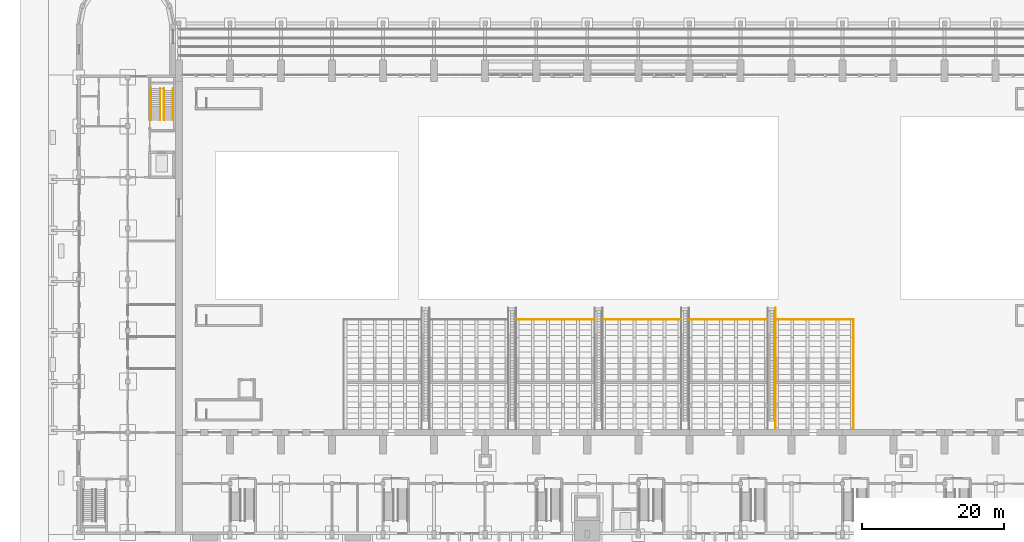
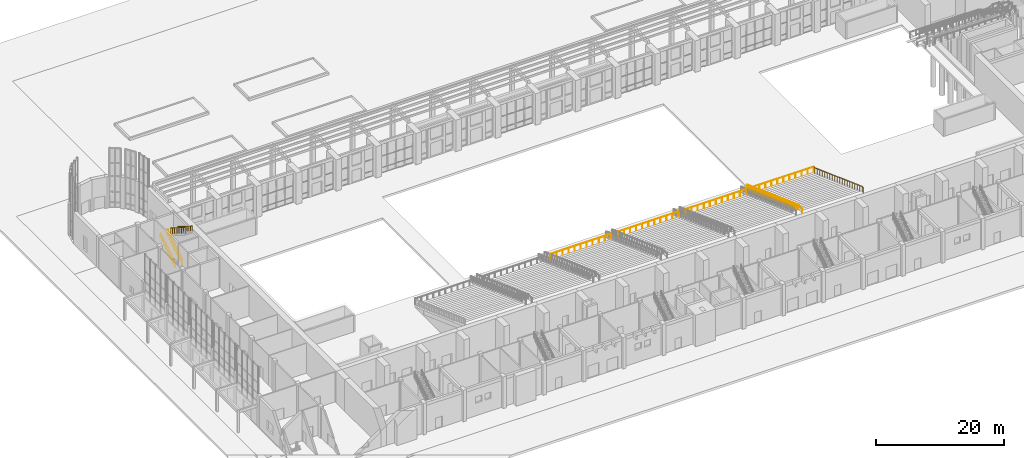
# One storey, part 64 of 70: 10 railings.
"""IFC4 building model written with IfcOpenShell, lengths in metres."""

import ifcopenshell
import ifcopenshell.guid

model = None  # the IFC model being written
_history = None  # IfcOwnerHistory: only IFC2X3 demands one
_inside = {}  # id of a spatial element -> (the spatial element, [elements in it])
_under = {}  # id of a project, library or spatial element -> (it, [spatial elements below it])
_declared = {}  # id of a project -> (the project, [libraries it declares])
_typed = {}  # id of a type object -> (the type object, [elements of that type])
_made_of = {}  # id of a material, layer set ... -> (it, [elements and type objects made of it])


def new_model(schema):
    """Start an empty IFC model of exactly this schema.

    Asked for "IFC4X3", IfcOpenShell would pick the latest addendum, in which some entities
    have other attributes; the version numbers below select the first issue.
    IFC2X3 requires an IfcOwnerHistory on every rooted entity: one is made here for all.
    """
    global model, _history
    if schema == "IFC4X3":
        model = ifcopenshell.file(schema_version=(4, 3, 0, 0))
    else:
        model = ifcopenshell.file(schema=schema)
    _inside.clear()
    _under.clear()
    _declared.clear()
    _typed.clear()
    _made_of.clear()
    _history = None
    if model.schema == "IFC2X3":
        org = make("IfcOrganization", Name="unknown")
        user = make(
            "IfcPersonAndOrganization",
            ThePerson=make("IfcPerson", FamilyName="unknown"),
            TheOrganization=org,
        )
        app = make(
            "IfcApplication",
            ApplicationDeveloper=org,
            Version="unknown",
            ApplicationFullName="unknown",
            ApplicationIdentifier="unknown",
        )
        _history = make(
            "IfcOwnerHistory",
            OwningUser=user,
            OwningApplication=app,
            ChangeAction="ADDED",
            CreationDate=0,
        )
    return model


def make(cls, **values):
    """One entity of the class cls with the attributes given. An attribute that is None is left unset."""
    return model.create_entity(
        cls, **{name: value for name, value in values.items() if value is not None}
    )


def rooted(cls, **values):
    """An entity with a GlobalId (a new one), such as an element, a storey or a relation."""
    return make(cls, GlobalId=ifcopenshell.guid.new(), OwnerHistory=_history, **values)


def si_unit(unit_type, name, prefix=None):
    """IfcSIUnit, for example si_unit("LENGTHUNIT", "METRE", prefix="MILLI")."""
    return make("IfcSIUnit", UnitType=unit_type, Prefix=prefix, Name=name)


def assignment(units):
    """IfcUnitAssignment: the units of a project."""
    return None if units is None else make("IfcUnitAssignment", Units=units)


def point(xyz):
    """IfcCartesianPoint."""
    return None if xyz is None else make("IfcCartesianPoint", Coordinates=xyz)


def direction(xyz):
    """IfcDirection."""
    return None if xyz is None else make("IfcDirection", DirectionRatios=xyz)


def frame(location, z_axis=None, x_axis=None):
    """IfcAxis2Placement3D, a coordinate frame: its origin and axes. An axis left out is left unset."""
    return make(
        "IfcAxis2Placement3D",
        Location=point(location),
        Axis=direction(z_axis),
        RefDirection=direction(x_axis),
    )


def frame_2d(location, x_axis=None):
    """IfcAxis2Placement2D, a coordinate frame in the plane: its origin and x axis."""
    return make(
        "IfcAxis2Placement2D", Location=point(location), RefDirection=direction(x_axis)
    )


def origin():
    """The frame at (0, 0, 0) with its axes left unset."""
    return frame((0.0, 0.0, 0.0))


def origin_2d():
    """The frame at (0, 0) in the plane with its x axis left unset."""
    return frame_2d((0.0, 0.0))


def place(relative_to, where):
    """IfcLocalPlacement: puts the frame where relative to a parent placement (None: the world)."""
    return make(
        "IfcLocalPlacement", PlacementRelTo=relative_to, RelativePlacement=where
    )


def context(
    kind, dimensions, precision=None, world=None, true_north=None, identifier=None
):
    """IfcGeometricRepresentationContext, for example the 3D "Model" context."""
    return make(
        "IfcGeometricRepresentationContext",
        ContextIdentifier=identifier,
        ContextType=kind,
        CoordinateSpaceDimension=dimensions,
        Precision=precision,
        WorldCoordinateSystem=world,
        TrueNorth=true_north,
    )


def subcontext(parent, identifier, kind, view, scale=None):
    """IfcGeometricRepresentationSubContext, for example "Body" below "Model"."""
    return make(
        "IfcGeometricRepresentationSubContext",
        ContextIdentifier=identifier,
        ContextType=kind,
        ParentContext=parent,
        TargetScale=scale,
        TargetView=view,
    )


def project(units=None, contexts=None):
    """IfcProject with its units and contexts."""
    return rooted(
        "IfcProject",
        Name="project",
        RepresentationContexts=contexts,
        UnitsInContext=assignment(units),
    )


def spatial(cls, under=None, at=None, **own):
    """A site, building, storey or space (cls), placed at a placement, below another one or the project."""
    s = rooted(cls, ObjectPlacement=at, **own)
    if under is not None:
        _under.setdefault(under.id(), (under, []))[1].append(s)
    return s


def profile(cls, at=None, kind="AREA", **sizes):
    """A parametric profile (cls). Its sizes go by their IFC names, for example OverallWidth=200.0."""
    return make(cls, ProfileType=kind, Position=at, **sizes)


def circle(**sizes):
    """IfcCircleProfileDef."""
    return profile("IfcCircleProfileDef", **sizes)


def extrude(swept, where, along, depth):
    """IfcExtrudedAreaSolid: the profile swept, set in the frame where, extruded along a direction by depth."""
    return make(
        "IfcExtrudedAreaSolid",
        SweptArea=swept,
        Position=where,
        ExtrudedDirection=direction(along),
        Depth=depth,
    )


def shape(context_of_items, identifier, shape_type, items):
    """IfcShapeRepresentation: the items that make up one representation, for example the "Body"."""
    return make(
        "IfcShapeRepresentation",
        ContextOfItems=context_of_items,
        RepresentationIdentifier=identifier,
        RepresentationType=shape_type,
        Items=items,
    )


def material(Name=None, Category=None):
    """IfcMaterial."""
    return make("IfcMaterial", Name=Name, Category=Category)


def made_of(thing, what):
    """Note that an element or type object is made of a material, layer set ...; save() writes the relation."""
    if what is not None:
        _made_of.setdefault(what.id(), (what, []))[1].append(thing)
    return thing


def type_object(cls, material=None, **own):
    """A type object (cls), such as IfcWallType, which elements share."""
    return made_of(rooted(cls, **own), material)


def element(
    cls,
    number,
    at=None,
    inside=None,
    cuts=None,
    type_object=None,
    material=None,
    context=None,
    identifier="Body",
    shape_type=None,
    held_by="IfcProductDefinitionShape",
    body=None,
    shapes=None,
    **own,
):
    """One element of the class cls, such as IfcWall. Its Tag is "e" and its number.

    at: its placement. inside: the storey or other place that contains it. cuts: it is an
    opening in that element (IfcRelVoidsElement). A single representation is given by context,
    identifier, shape_type and body (its items); several are given by shapes. held_by: the class
    of the entity that holds the representations. save() writes the other relations.
    """
    e = rooted(cls, Tag="e%d" % number, ObjectPlacement=at, **own)
    if body is not None:
        shapes = [shape(context, identifier, shape_type, body)]
    if shapes is not None:
        e.Representation = make(held_by, Representations=shapes)
    if inside is not None:
        _inside.setdefault(inside.id(), (inside, []))[1].append(e)
    if cuts is not None:
        rooted(
            "IfcRelVoidsElement", RelatingBuildingElement=cuts, RelatedOpeningElement=e
        )
    if type_object is not None:
        _typed.setdefault(type_object.id(), (type_object, []))[1].append(e)
    return made_of(e, material)


def aggregate(whole, parts):
    """IfcRelAggregates: a whole, such as a stair, and the parts it consists of."""
    return rooted("IfcRelAggregates", RelatingObject=whole, RelatedObjects=parts)


def save(model, path):
    """Write the relations noted so far, then the file.

    IfcRelAggregates (storeys below a building ...), IfcRelContainedInSpatialStructure (elements
    in a storey), IfcRelDefinesByType, IfcRelAssociatesMaterial and IfcRelDeclares: one each for
    every whole, place, type object, material and project.
    """
    for whole, parts in _under.values():
        aggregate(whole, parts)
    for where, things in _inside.values():
        rooted(
            "IfcRelContainedInSpatialStructure",
            RelatedElements=things,
            RelatingStructure=where,
        )
    for kind, things in _typed.values():
        rooted("IfcRelDefinesByType", RelatedObjects=things, RelatingType=kind)
    for what, things in _made_of.values():
        rooted("IfcRelAssociatesMaterial", RelatedObjects=things, RelatingMaterial=what)
    for by, libraries in _declared.values():
        rooted("IfcRelDeclares", RelatingContext=by, RelatedDefinitions=libraries)
    model.write(path)


model = new_model("IFC4")

# Units and contexts
model_context = context("Model", 3, precision=1e-05, world=origin(), true_north=direction((0.0, 1.0)))
body_context = subcontext(model_context, "Body", "Model", "MODEL_VIEW")
ifc_project = project(units=[si_unit("LENGTHUNIT", "METRE"), si_unit("AREAUNIT", "SQUARE_METRE"), si_unit("VOLUMEUNIT", "CUBIC_METRE"), si_unit("PLANEANGLEUNIT", "RADIAN"), si_unit("MASSUNIT", "GRAM", prefix="KILO")], contexts=[model_context])

# Site, building, storey
site_placement = place(None, origin())
site = spatial("IfcSite", under=ifc_project, at=site_placement, CompositionType="ELEMENT")
building_placement = place(site_placement, origin())
building = spatial("IfcBuilding", under=site, at=building_placement, Name="Vermilion Court Aquatics Centre", CompositionType="ELEMENT")
storey_placement = place(building_placement, origin())
storey = spatial("IfcBuildingStorey", under=building, at=storey_placement, Name="L00", CompositionType="ELEMENT", Elevation=0.0)

# Railings
ifc_material_1 = material(Name="Steel ASTM A992 Grade 50", Category="steel")
railing_type_1 = type_object("IfcRailingType", Name="Foyer guard 1100", PredefinedType="GUARDRAIL", material=ifc_material_1)
railing_1_placement = place(storey_placement, frame((11.77490234375, 58.449951171875, 0.176513671875)))
element("IfcRailing", 1, at=railing_1_placement, inside=storey, type_object=railing_type_1, Name="Stair guard F2.1E", PredefinedType="GUARDRAIL", context=body_context, shape_type="SweptSolid", body=[
    extrude(circle(Radius=0.02392578125, at=origin_2d()), frame((0.0, 0.0, 1.076171875), z_axis=(0.0, 0.846128112635, 0.532979565282), x_axis=(-1.0, 0.0, 0.0)), (0.0, 0.0, 1.0), 0.661865234375),
    extrude(circle(Radius=0.02392578125, at=origin_2d()), frame((0.0, 0.56005859375, 1.4287109375), z_axis=(0.0, 0.845961766943, 0.533243554926), x_axis=(-1.0, 0.0, 0.0)), (0.0, 0.0, 1.0), 0.662109375),
    extrude(circle(Radius=0.02392578125, at=origin_2d()), frame((0.0, 1.1201171875, 1.78173828125), z_axis=(0.0, 0.84585685817, 0.533409950682), x_axis=(-1.0, 0.0, 0.0)), (0.0, 0.0, 1.0), 0.661865234375),
    extrude(circle(Radius=0.02392578125, at=origin_2d()), frame((0.0, 1.679931640625, 2.134765625), z_axis=(0.0, 0.846128112635, 0.532979565282), x_axis=(-1.0, 0.0, 0.0)), (0.0, 0.0, 1.0), 0.661865234375),
    extrude(circle(Radius=0.02392578125, at=origin_2d()), frame((0.0, 2.239990234375, 2.48779296875), z_axis=(0.0, 0.845961766943, 0.533243554926), x_axis=(-1.0, 0.0, 0.0)), (0.0, 0.0, 1.0), 0.662109375),
    extrude(circle(Radius=0.02392578125, at=origin_2d()), frame((0.0, 2.800048828125, 2.8408203125), z_axis=(0.0, 0.845961766943, 0.533243554926), x_axis=(-1.0, 0.0, 0.0)), (0.0, 0.0, 1.0), 0.662109375),
    extrude(circle(Radius=0.02392578125, at=origin_2d()), frame((0.0, 3.360107421875, 3.19384765625), z_axis=(0.0, 0.846128112635, 0.532979565282), x_axis=(-1.0, 0.0, 0.0)), (0.0, 0.0, 1.0), 0.661865234375),
    extrude(circle(Radius=0.02392578125, at=origin_2d()), frame((0.0, 3.920166015625, 3.54638671875), z_axis=(0.0, 0.84585685817, 0.533409950682), x_axis=(-1.0, 0.0, 0.0)), (0.0, 0.0, 1.0), 0.661865234375),
    extrude(circle(Radius=0.02099609375, at=origin_2d()), origin(), (0.0, 0.0, 1.0), 1.052001953125),
    extrude(circle(Radius=0.02099609375, at=origin_2d()), frame((0.0, 0.56005859375, 0.352783203125)), (0.0, 0.0, 1.0), 1.052001953125),
    extrude(circle(Radius=0.02099609375, at=origin_2d()), frame((0.0, 1.1201171875, 0.705810546875)), (0.0, 0.0, 1.0), 1.052001953125),
    extrude(circle(Radius=0.02099609375, at=origin_2d()), frame((0.0, 1.679931640625, 1.058837890625)), (0.0, 0.0, 1.0), 1.052001953125),
    extrude(circle(Radius=0.02099609375, at=origin_2d()), frame((0.0, 2.239990234375, 1.41162109375)), (0.0, 0.0, 1.0), 1.052001953125),
    extrude(circle(Radius=0.02099609375, at=origin_2d()), frame((0.0, 2.800048828125, 1.7646484375)), (0.0, 0.0, 1.0), 1.052001953125),
    extrude(circle(Radius=0.02099609375, at=origin_2d()), frame((0.0, 3.360107421875, 2.11767578125)), (0.0, 0.0, 1.0), 1.052001953125),
    extrude(circle(Radius=0.02099609375, at=origin_2d()), frame((0.0, 3.920166015625, 2.470458984375)), (0.0, 0.0, 1.0), 1.052001953125),
    extrude(circle(Radius=0.02099609375, at=origin_2d()), frame((0.0, 4.47998046875, 2.823486328125)), (0.0, 0.0, 1.0), 1.052001953125),
])
railing_2_placement = place(storey_placement, frame((12.300048828125, 62.929931640625, 3.176513671875)))
element("IfcRailing", 2, at=railing_2_placement, inside=storey, type_object=railing_type_1, Name="Stair guard F2.2W", PredefinedType="GUARDRAIL", context=body_context, shape_type="SweptSolid", body=[
    extrude(circle(Radius=0.02392578125, at=origin_2d()), frame((0.0, 0.0, 1.076171875), z_axis=(0.0, -0.846023287082, 0.533145944105), x_axis=(1.0, 0.0, 0.0)), (0.0, 0.0, 1.0), 0.66162109375),
    extrude(circle(Radius=0.02392578125, at=origin_2d()), frame((0.0, -0.559814453125, 1.4287109375), z_axis=(0.0, -0.845961766943, 0.533243554926), x_axis=(1.0, 0.0, 0.0)), (0.0, 0.0, 1.0), 0.662109375),
    extrude(circle(Radius=0.02392578125, at=origin_2d()), frame((0.0, -1.119873046875, 1.78173828125), z_axis=(0.0, -0.845961766943, 0.533243554926), x_axis=(1.0, 0.0, 0.0)), (0.0, 0.0, 1.0), 0.662109375),
    extrude(circle(Radius=0.02392578125, at=origin_2d()), frame((0.0, -1.679931640625, 2.134765625), z_axis=(0.0, -0.846128112635, 0.532979565282), x_axis=(1.0, 0.0, 0.0)), (0.0, 0.0, 1.0), 0.661865234375),
    extrude(circle(Radius=0.02392578125, at=origin_2d()), frame((0.0, -2.239990234375, 2.48779296875), z_axis=(0.0, -0.845961766943, 0.533243554926), x_axis=(1.0, 0.0, 0.0)), (0.0, 0.0, 1.0), 0.662109375),
    extrude(circle(Radius=0.02392578125, at=origin_2d()), frame((0.0, -2.800048828125, 2.8408203125), z_axis=(0.0, -0.84585685817, 0.533409950682), x_axis=(1.0, 0.0, 0.0)), (0.0, 0.0, 1.0), 0.661865234375),
    extrude(circle(Radius=0.02392578125, at=origin_2d()), frame((0.0, -3.35986328125, 3.19384765625), z_axis=(0.0, -0.846128112635, 0.532979565282), x_axis=(1.0, 0.0, 0.0)), (0.0, 0.0, 1.0), 0.661865234375),
    extrude(circle(Radius=0.02392578125, at=origin_2d()), frame((0.0, -3.919921875, 3.54638671875), z_axis=(0.0, -0.845961766943, 0.533243554926), x_axis=(1.0, 0.0, 0.0)), (0.0, 0.0, 1.0), 0.662109375),
    extrude(circle(Radius=0.02099609375, at=origin_2d()), origin(), (0.0, 0.0, 1.0), 1.052001953125),
    extrude(circle(Radius=0.02099609375, at=origin_2d()), frame((0.0, -0.559814453125, 0.352783203125)), (0.0, 0.0, 1.0), 1.052001953125),
    extrude(circle(Radius=0.02099609375, at=origin_2d()), frame((0.0, -1.119873046875, 0.705810546875)), (0.0, 0.0, 1.0), 1.052001953125),
    extrude(circle(Radius=0.02099609375, at=origin_2d()), frame((0.0, -1.679931640625, 1.058837890625)), (0.0, 0.0, 1.0), 1.052001953125),
    extrude(circle(Radius=0.02099609375, at=origin_2d()), frame((0.0, -2.239990234375, 1.41162109375)), (0.0, 0.0, 1.0), 1.052001953125),
    extrude(circle(Radius=0.02099609375, at=origin_2d()), frame((0.0, -2.800048828125, 1.7646484375)), (0.0, 0.0, 1.0), 1.052001953125),
    extrude(circle(Radius=0.02099609375, at=origin_2d()), frame((0.0, -3.35986328125, 2.11767578125)), (0.0, 0.0, 1.0), 1.052001953125),
    extrude(circle(Radius=0.02099609375, at=origin_2d()), frame((0.0, -3.919921875, 2.470458984375)), (0.0, 0.0, 1.0), 1.052001953125),
    extrude(circle(Radius=0.02099609375, at=origin_2d()), frame((0.0, -4.47998046875, 2.823486328125)), (0.0, 0.0, 1.0), 1.052001953125),
])
ifc_material_2 = material(Name="Steel ASTM A992 Grade 50", Category="steel")
railing_type_2 = type_object("IfcRailingType", Name="Foyer handrail 900", PredefinedType="HANDRAIL", material=ifc_material_2)
railing_3_placement = place(storey_placement, frame((10.47509765625, 58.449951171875, 0.176513671875)))
element("IfcRailing", 3, at=railing_3_placement, inside=storey, type_object=railing_type_2, Name="Stair handrail F2.1W", PredefinedType="HANDRAIL", context=body_context, shape_type="SweptSolid", body=[
    extrude(circle(Radius=0.02392578125, at=origin_2d()), frame((0.0, 0.0, 0.8759765625), z_axis=(0.0, 0.846128112635, 0.532979565282), x_axis=(-1.0, 0.0, 0.0)), (0.0, 0.0, 1.0), 0.661865234375),
    extrude(circle(Radius=0.02392578125, at=origin_2d()), frame((0.0, 0.56005859375, 1.228515625), z_axis=(0.0, 0.845961766943, 0.533243554926), x_axis=(-1.0, 0.0, 0.0)), (0.0, 0.0, 1.0), 0.662109375),
    extrude(circle(Radius=0.02392578125, at=origin_2d()), frame((0.0, 1.1201171875, 1.58154296875), z_axis=(0.0, 0.84585685817, 0.533409950682), x_axis=(-1.0, 0.0, 0.0)), (0.0, 0.0, 1.0), 0.661865234375),
    extrude(circle(Radius=0.02392578125, at=origin_2d()), frame((0.0, 1.679931640625, 1.9345703125), z_axis=(0.0, 0.846128112635, 0.532979565282), x_axis=(-1.0, 0.0, 0.0)), (0.0, 0.0, 1.0), 0.661865234375),
    extrude(circle(Radius=0.02392578125, at=origin_2d()), frame((0.0, 2.239990234375, 2.28759765625), z_axis=(0.0, 0.845961766943, 0.533243554926), x_axis=(-1.0, 0.0, 0.0)), (0.0, 0.0, 1.0), 0.662109375),
    extrude(circle(Radius=0.02392578125, at=origin_2d()), frame((0.0, 2.800048828125, 2.640625), z_axis=(0.0, 0.845961766943, 0.533243554926), x_axis=(-1.0, 0.0, 0.0)), (0.0, 0.0, 1.0), 0.662109375),
    extrude(circle(Radius=0.02392578125, at=origin_2d()), frame((0.0, 3.360107421875, 2.99365234375), z_axis=(0.0, 0.846128112635, 0.532979565282), x_axis=(-1.0, 0.0, 0.0)), (0.0, 0.0, 1.0), 0.661865234375),
    extrude(circle(Radius=0.02392578125, at=origin_2d()), frame((0.0, 3.920166015625, 3.34619140625), z_axis=(0.0, 0.84585685817, 0.533409950682), x_axis=(-1.0, 0.0, 0.0)), (0.0, 0.0, 1.0), 0.661865234375),
    extrude(circle(Radius=0.02099609375, at=origin_2d()), origin(), (0.0, 0.0, 1.0), 0.851806640625),
    extrude(circle(Radius=0.02099609375, at=origin_2d()), frame((0.0, 0.56005859375, 0.352783203125)), (0.0, 0.0, 1.0), 0.851806640625),
    extrude(circle(Radius=0.02099609375, at=origin_2d()), frame((0.0, 1.1201171875, 0.705810546875)), (0.0, 0.0, 1.0), 0.851806640625),
    extrude(circle(Radius=0.02099609375, at=origin_2d()), frame((0.0, 1.679931640625, 1.058837890625)), (0.0, 0.0, 1.0), 0.851806640625),
    extrude(circle(Radius=0.02099609375, at=origin_2d()), frame((0.0, 2.239990234375, 1.41162109375)), (0.0, 0.0, 1.0), 0.851806640625),
    extrude(circle(Radius=0.02099609375, at=origin_2d()), frame((0.0, 2.800048828125, 1.7646484375)), (0.0, 0.0, 1.0), 0.851806640625),
    extrude(circle(Radius=0.02099609375, at=origin_2d()), frame((0.0, 3.360107421875, 2.11767578125)), (0.0, 0.0, 1.0), 0.851806640625),
    extrude(circle(Radius=0.02099609375, at=origin_2d()), frame((0.0, 3.920166015625, 2.470458984375)), (0.0, 0.0, 1.0), 0.851806640625),
    extrude(circle(Radius=0.02099609375, at=origin_2d()), frame((0.0, 4.47998046875, 2.823486328125)), (0.0, 0.0, 1.0), 0.851806640625),
])
railing_4_placement = place(storey_placement, frame((13.60009765625, 62.929931640625, 3.176513671875)))
element("IfcRailing", 4, at=railing_4_placement, inside=storey, type_object=railing_type_2, Name="Stair handrail F2.2E", PredefinedType="HANDRAIL", context=body_context, shape_type="SweptSolid", body=[
    extrude(circle(Radius=0.02392578125, at=origin_2d()), frame((0.0, 0.0, 0.8759765625), z_axis=(0.0, -0.846023287082, 0.533145944105), x_axis=(1.0, 0.0, 0.0)), (0.0, 0.0, 1.0), 0.66162109375),
    extrude(circle(Radius=0.02392578125, at=origin_2d()), frame((0.0, -0.559814453125, 1.228515625), z_axis=(0.0, -0.845961766943, 0.533243554926), x_axis=(1.0, 0.0, 0.0)), (0.0, 0.0, 1.0), 0.662109375),
    extrude(circle(Radius=0.02392578125, at=origin_2d()), frame((0.0, -1.119873046875, 1.58154296875), z_axis=(0.0, -0.845961766943, 0.533243554926), x_axis=(1.0, 0.0, 0.0)), (0.0, 0.0, 1.0), 0.662109375),
    extrude(circle(Radius=0.02392578125, at=origin_2d()), frame((0.0, -1.679931640625, 1.9345703125), z_axis=(0.0, -0.846128112635, 0.532979565282), x_axis=(1.0, 0.0, 0.0)), (0.0, 0.0, 1.0), 0.661865234375),
    extrude(circle(Radius=0.02392578125, at=origin_2d()), frame((0.0, -2.239990234375, 2.28759765625), z_axis=(0.0, -0.845961766943, 0.533243554926), x_axis=(1.0, 0.0, 0.0)), (0.0, 0.0, 1.0), 0.662109375),
    extrude(circle(Radius=0.02392578125, at=origin_2d()), frame((0.0, -2.800048828125, 2.640625), z_axis=(0.0, -0.84585685817, 0.533409950682), x_axis=(1.0, 0.0, 0.0)), (0.0, 0.0, 1.0), 0.661865234375),
    extrude(circle(Radius=0.02392578125, at=origin_2d()), frame((0.0, -3.35986328125, 2.99365234375), z_axis=(0.0, -0.846128112635, 0.532979565282), x_axis=(1.0, 0.0, 0.0)), (0.0, 0.0, 1.0), 0.661865234375),
    extrude(circle(Radius=0.02392578125, at=origin_2d()), frame((0.0, -3.919921875, 3.34619140625), z_axis=(0.0, -0.845961766943, 0.533243554926), x_axis=(1.0, 0.0, 0.0)), (0.0, 0.0, 1.0), 0.662109375),
    extrude(circle(Radius=0.02099609375, at=origin_2d()), origin(), (0.0, 0.0, 1.0), 0.851806640625),
    extrude(circle(Radius=0.02099609375, at=origin_2d()), frame((0.0, -0.559814453125, 0.352783203125)), (0.0, 0.0, 1.0), 0.851806640625),
    extrude(circle(Radius=0.02099609375, at=origin_2d()), frame((0.0, -1.119873046875, 0.705810546875)), (0.0, 0.0, 1.0), 0.851806640625),
    extrude(circle(Radius=0.02099609375, at=origin_2d()), frame((0.0, -1.679931640625, 1.058837890625)), (0.0, 0.0, 1.0), 0.851806640625),
    extrude(circle(Radius=0.02099609375, at=origin_2d()), frame((0.0, -2.239990234375, 1.41162109375)), (0.0, 0.0, 1.0), 0.851806640625),
    extrude(circle(Radius=0.02099609375, at=origin_2d()), frame((0.0, -2.800048828125, 1.7646484375)), (0.0, 0.0, 1.0), 0.851806640625),
    extrude(circle(Radius=0.02099609375, at=origin_2d()), frame((0.0, -3.35986328125, 2.11767578125)), (0.0, 0.0, 1.0), 0.851806640625),
    extrude(circle(Radius=0.02099609375, at=origin_2d()), frame((0.0, -3.919921875, 2.470458984375)), (0.0, 0.0, 1.0), 0.851806640625),
    extrude(circle(Radius=0.02099609375, at=origin_2d()), frame((0.0, -4.47998046875, 2.823486328125)), (0.0, 0.0, 1.0), 0.851806640625),
])
ifc_material_3 = material(Name="Steel ASTM A992 Grade 50", Category="steel")
railing_type_3 = type_object("IfcRailingType", Name="Tribune aisle stair handrail 900", PredefinedType="HANDRAIL", material=ifc_material_3)
railing_5_placement = place(storey_placement, frame((98.550048828125, 31.989990234375, 0.142822265625)))
element("IfcRailing", 5, at=railing_5_placement, inside=storey, type_object=railing_type_3, Name="Aisle stair handrail 5E", PredefinedType="HANDRAIL", context=body_context, shape_type="SweptSolid", body=[
    extrude(circle(Radius=0.02392578125, at=origin_2d()), frame((0.0, 0.0, 0.8759765625), z_axis=(0.0, -0.939018724958, 0.343866011956), x_axis=(1.0, 0.0, 0.0)), (0.0, 0.0, 1.0), 0.83056640625),
    extrude(circle(Radius=0.02392578125, at=origin_2d()), frame((0.0, -0.780029296875, 1.16162109375), z_axis=(0.0, -0.938923798649, 0.344125123073), x_axis=(1.0, 0.0, 0.0)), (0.0, 0.0, 1.0), 0.830810546875),
    extrude(circle(Radius=0.02392578125, at=origin_2d()), frame((0.0, -1.56005859375, 1.447265625), z_axis=(0.0, -0.939018724958, 0.343866011956), x_axis=(1.0, 0.0, 0.0)), (0.0, 0.0, 1.0), 0.83056640625),
    extrude(circle(Radius=0.02392578125, at=origin_2d()), frame((0.0, -2.340087890625, 1.73291015625), z_axis=(0.0, -0.938983958399, 0.343960936546), x_axis=(1.0, 0.0, 0.0)), (0.0, 0.0, 1.0), 0.83056640625),
    extrude(circle(Radius=0.02392578125, at=origin_2d()), frame((0.0, -3.119873046875, 2.0185546875), z_axis=(0.0, -0.938923798649, 0.344125123073), x_axis=(1.0, 0.0, 0.0)), (0.0, 0.0, 1.0), 0.830810546875),
    extrude(circle(Radius=0.02392578125, at=origin_2d()), frame((0.0, -3.89990234375, 2.3046875), z_axis=(0.0, -0.939018724958, 0.343866011956), x_axis=(1.0, 0.0, 0.0)), (0.0, 0.0, 1.0), 0.83056640625),
    extrude(circle(Radius=0.02392578125, at=origin_2d()), frame((0.0, -4.679931640625, 2.59033203125), z_axis=(0.0, -0.939018724958, 0.343866011956), x_axis=(1.0, 0.0, 0.0)), (0.0, 0.0, 1.0), 0.83056640625),
    extrude(circle(Radius=0.02392578125, at=origin_2d()), frame((0.0, -5.4599609375, 2.8759765625), z_axis=(0.0, -0.939018724958, 0.343866011956), x_axis=(1.0, 0.0, 0.0)), (0.0, 0.0, 1.0), 0.83056640625),
    extrude(circle(Radius=0.02392578125, at=origin_2d()), frame((0.0, -6.239990234375, 3.16162109375), z_axis=(0.0, -0.938923798649, 0.344125123073), x_axis=(1.0, 0.0, 0.0)), (0.0, 0.0, 1.0), 0.830810546875),
    extrude(circle(Radius=0.02392578125, at=origin_2d()), frame((0.0, -7.02001953125, 3.447265625), z_axis=(0.0, -0.939018724958, 0.343866011956), x_axis=(1.0, 0.0, 0.0)), (0.0, 0.0, 1.0), 0.83056640625),
    extrude(circle(Radius=0.02392578125, at=origin_2d()), frame((0.0, -7.800048828125, 3.73291015625), z_axis=(0.0, -0.939018724958, 0.343866011956), x_axis=(1.0, 0.0, 0.0)), (0.0, 0.0, 1.0), 0.83056640625),
    extrude(circle(Radius=0.02392578125, at=origin_2d()), frame((0.0, -8.580078125, 4.0185546875), z_axis=(0.0, -0.938923798649, 0.344125123073), x_axis=(1.0, 0.0, 0.0)), (0.0, 0.0, 1.0), 0.830810546875),
    extrude(circle(Radius=0.02392578125, at=origin_2d()), frame((0.0, -9.360107421875, 4.3046875), z_axis=(0.0, -0.938983958399, 0.343960936546), x_axis=(1.0, 0.0, 0.0)), (0.0, 0.0, 1.0), 0.83056640625),
    extrude(circle(Radius=0.02392578125, at=origin_2d()), frame((0.0, -10.139892578125, 4.59033203125), z_axis=(0.0, -0.939018724958, 0.343866011956), x_axis=(1.0, 0.0, 0.0)), (0.0, 0.0, 1.0), 0.83056640625),
    extrude(circle(Radius=0.02392578125, at=origin_2d()), frame((0.0, -10.919921875, 4.8759765625), z_axis=(0.0, -0.939018724958, 0.343866011956), x_axis=(1.0, 0.0, 0.0)), (0.0, 0.0, 1.0), 0.83056640625),
    extrude(circle(Radius=0.02392578125, at=origin_2d()), frame((0.0, -11.699951171875, 5.16162109375), z_axis=(0.0, -0.938923798649, 0.344125123073), x_axis=(1.0, 0.0, 0.0)), (0.0, 0.0, 1.0), 0.830810546875),
    extrude(circle(Radius=0.02392578125, at=origin_2d()), frame((0.0, -12.47998046875, 5.447265625), z_axis=(0.0, -0.939018724958, 0.343866011956), x_axis=(1.0, 0.0, 0.0)), (0.0, 0.0, 1.0), 0.83056640625),
    extrude(circle(Radius=0.02392578125, at=origin_2d()), frame((0.0, -13.260009765625, 5.73291015625), z_axis=(0.0, -0.939018724958, 0.343866011956), x_axis=(1.0, 0.0, 0.0)), (0.0, 0.0, 1.0), 0.83056640625),
    extrude(circle(Radius=0.02392578125, at=origin_2d()), frame((0.0, -14.0400390625, 6.0185546875), z_axis=(0.0, -0.938923798649, 0.344125123073), x_axis=(1.0, 0.0, 0.0)), (0.0, 0.0, 1.0), 0.830810546875),
    extrude(circle(Radius=0.02392578125, at=origin_2d()), frame((0.0, -14.820068359375, 6.3046875), z_axis=(0.0, -0.939018724958, 0.343866011956), x_axis=(1.0, 0.0, 0.0)), (0.0, 0.0, 1.0), 0.83056640625),
    extrude(circle(Radius=0.02392578125, at=origin_2d()), frame((0.0, -15.60009765625, 6.59033203125), z_axis=(0.0, -0.938983958399, 0.343960936546), x_axis=(1.0, 0.0, 0.0)), (0.0, 0.0, 1.0), 0.415283203125),
    extrude(circle(Radius=0.02392578125, at=origin_2d()), frame((0.0, -15.989990234375, 6.73291015625), z_axis=(0.0, -1.0, 0.0), x_axis=(1.0, 0.0, 0.0)), (0.0, 0.0, 1.0), 1.14990234375),
    extrude(circle(Radius=0.02099609375, at=origin_2d()), origin(), (0.0, 0.0, 1.0), 0.851806640625),
    extrude(circle(Radius=0.02099609375, at=origin_2d()), frame((0.0, -0.780029296875, 0.28564453125)), (0.0, 0.0, 1.0), 0.851806640625),
    extrude(circle(Radius=0.02099609375, at=origin_2d()), frame((0.0, -1.56005859375, 0.571533203125)), (0.0, 0.0, 1.0), 0.851806640625),
    extrude(circle(Radius=0.02099609375, at=origin_2d()), frame((0.0, -2.340087890625, 0.857177734375)), (0.0, 0.0, 1.0), 0.851806640625),
    extrude(circle(Radius=0.02099609375, at=origin_2d()), frame((0.0, -3.119873046875, 1.142822265625)), (0.0, 0.0, 1.0), 0.851806640625),
    extrude(circle(Radius=0.02099609375, at=origin_2d()), frame((0.0, -3.89990234375, 1.4287109375)), (0.0, 0.0, 1.0), 0.851806640625),
    extrude(circle(Radius=0.02099609375, at=origin_2d()), frame((0.0, -4.679931640625, 1.71435546875)), (0.0, 0.0, 1.0), 0.851806640625),
    extrude(circle(Radius=0.02099609375, at=origin_2d()), frame((0.0, -5.4599609375, 2.0)), (0.0, 0.0, 1.0), 0.851806640625),
    extrude(circle(Radius=0.02099609375, at=origin_2d()), frame((0.0, -6.239990234375, 2.28564453125)), (0.0, 0.0, 1.0), 0.851806640625),
    extrude(circle(Radius=0.02099609375, at=origin_2d()), frame((0.0, -7.02001953125, 2.571533203125)), (0.0, 0.0, 1.0), 0.851806640625),
    extrude(circle(Radius=0.02099609375, at=origin_2d()), frame((0.0, -7.800048828125, 2.857177734375)), (0.0, 0.0, 1.0), 0.851806640625),
    extrude(circle(Radius=0.02099609375, at=origin_2d()), frame((0.0, -8.580078125, 3.142822265625)), (0.0, 0.0, 1.0), 0.851806640625),
    extrude(circle(Radius=0.02099609375, at=origin_2d()), frame((0.0, -9.360107421875, 3.4287109375)), (0.0, 0.0, 1.0), 0.851806640625),
    extrude(circle(Radius=0.02099609375, at=origin_2d()), frame((0.0, -10.139892578125, 3.71435546875)), (0.0, 0.0, 1.0), 0.851806640625),
    extrude(circle(Radius=0.02099609375, at=origin_2d()), frame((0.0, -10.919921875, 4.0)), (0.0, 0.0, 1.0), 0.851806640625),
    extrude(circle(Radius=0.02099609375, at=origin_2d()), frame((0.0, -11.699951171875, 4.28564453125)), (0.0, 0.0, 1.0), 0.851806640625),
    extrude(circle(Radius=0.02099609375, at=origin_2d()), frame((0.0, -12.47998046875, 4.571533203125)), (0.0, 0.0, 1.0), 0.851806640625),
    extrude(circle(Radius=0.02099609375, at=origin_2d()), frame((0.0, -13.260009765625, 4.857177734375)), (0.0, 0.0, 1.0), 0.851806640625),
    extrude(circle(Radius=0.02099609375, at=origin_2d()), frame((0.0, -14.0400390625, 5.142822265625)), (0.0, 0.0, 1.0), 0.851806640625),
    extrude(circle(Radius=0.02099609375, at=origin_2d()), frame((0.0, -14.820068359375, 5.4287109375)), (0.0, 0.0, 1.0), 0.851806640625),
    extrude(circle(Radius=0.02099609375, at=origin_2d()), frame((0.0, -15.60009765625, 5.71435546875)), (0.0, 0.0, 1.0), 0.851806640625),
    extrude(circle(Radius=0.02099609375, at=origin_2d()), frame((0.0, -15.989990234375, 5.857177734375)), (0.0, 0.0, 1.0), 0.851806640625),
    extrude(circle(Radius=0.02099609375, at=origin_2d()), frame((0.0, -17.139892578125, 5.857177734375)), (0.0, 0.0, 1.0), 0.851806640625),
])
ifc_material_4 = material(Name="Steel ASTM A992 Grade 50", Category="steel")
railing_type_4 = type_object("IfcRailingType", Name="Tribune tier guard 1100", PredefinedType="GUARDRAIL", material=ifc_material_4)
railing_6_placement = place(storey_placement, frame((109.550048828125, 30.35009765625, 0.571533203125)))
element("IfcRailing", 6, at=railing_6_placement, inside=storey, type_object=railing_type_4, Name="Tribune end guard E", PredefinedType="GUARDRAIL", context=body_context, shape_type="SweptSolid", body=[
    extrude(circle(Radius=0.02392578125, at=origin_2d()), frame((0.0, 0.0, 1.076171875), z_axis=(0.0, -1.0, 0.0), x_axis=(1.0, 0.0, 0.0)), (0.0, 0.0, 1.0), 0.340087890625),
    extrude(circle(Radius=0.02392578125, at=origin_2d()), frame((0.0, -0.340087890625, 1.076171875), z_axis=(0.0, -0.939018724958, 0.343866011956), x_axis=(1.0, 0.0, 0.0)), (0.0, 0.0, 1.0), 0.83056640625),
    extrude(circle(Radius=0.02392578125, at=origin_2d()), frame((0.0, -1.1201171875, 1.36181640625), z_axis=(0.0, -0.939018724958, 0.343866011956), x_axis=(1.0, 0.0, 0.0)), (0.0, 0.0, 1.0), 0.83056640625),
    extrude(circle(Radius=0.02392578125, at=origin_2d()), frame((0.0, -1.900146484375, 1.6474609375), z_axis=(0.0, -0.939018724958, 0.343866011956), x_axis=(1.0, 0.0, 0.0)), (0.0, 0.0, 1.0), 0.83056640625),
    extrude(circle(Radius=0.02392578125, at=origin_2d()), frame((0.0, -2.68017578125, 1.93310546875), z_axis=(0.0, -0.938923798649, 0.344125123073), x_axis=(1.0, 0.0, 0.0)), (0.0, 0.0, 1.0), 0.830810546875),
    extrude(circle(Radius=0.02392578125, at=origin_2d()), frame((0.0, -3.460205078125, 2.21875), z_axis=(0.0, -0.938983958399, 0.343960936546), x_axis=(1.0, 0.0, 0.0)), (0.0, 0.0, 1.0), 0.83056640625),
    extrude(circle(Radius=0.02392578125, at=origin_2d()), frame((0.0, -4.239990234375, 2.50439453125), z_axis=(0.0, -0.939018724958, 0.343866011956), x_axis=(1.0, 0.0, 0.0)), (0.0, 0.0, 1.0), 0.83056640625),
    extrude(circle(Radius=0.02392578125, at=origin_2d()), frame((0.0, -5.02001953125, 2.7900390625), z_axis=(0.0, -0.938923798649, 0.344125123073), x_axis=(1.0, 0.0, 0.0)), (0.0, 0.0, 1.0), 0.830810546875),
    extrude(circle(Radius=0.02392578125, at=origin_2d()), frame((0.0, -5.800048828125, 3.076171875), z_axis=(0.0, -0.939018724958, 0.343866011956), x_axis=(1.0, 0.0, 0.0)), (0.0, 0.0, 1.0), 0.83056640625),
    extrude(circle(Radius=0.02392578125, at=origin_2d()), frame((0.0, -6.580078125, 3.36181640625), z_axis=(0.0, -0.939018724958, 0.343866011956), x_axis=(1.0, 0.0, 0.0)), (0.0, 0.0, 1.0), 0.83056640625),
    extrude(circle(Radius=0.02392578125, at=origin_2d()), frame((0.0, -7.360107421875, 3.6474609375), z_axis=(0.0, -0.939018724958, 0.343866011956), x_axis=(1.0, 0.0, 0.0)), (0.0, 0.0, 1.0), 0.83056640625),
    extrude(circle(Radius=0.02392578125, at=origin_2d()), frame((0.0, -8.14013671875, 3.93310546875), z_axis=(0.0, -0.938923798649, 0.344125123073), x_axis=(1.0, 0.0, 0.0)), (0.0, 0.0, 1.0), 0.830810546875),
    extrude(circle(Radius=0.02392578125, at=origin_2d()), frame((0.0, -8.920166015625, 4.21875), z_axis=(0.0, -0.939018724958, 0.343866011956), x_axis=(1.0, 0.0, 0.0)), (0.0, 0.0, 1.0), 0.83056640625),
    extrude(circle(Radius=0.02392578125, at=origin_2d()), frame((0.0, -9.7001953125, 4.50439453125), z_axis=(0.0, -0.938983958399, 0.343960936546), x_axis=(1.0, 0.0, 0.0)), (0.0, 0.0, 1.0), 0.83056640625),
    extrude(circle(Radius=0.02392578125, at=origin_2d()), frame((0.0, -10.47998046875, 4.7900390625), z_axis=(0.0, -0.938923798649, 0.344125123073), x_axis=(1.0, 0.0, 0.0)), (0.0, 0.0, 1.0), 0.830810546875),
    extrude(circle(Radius=0.02392578125, at=origin_2d()), frame((0.0, -11.260009765625, 5.076171875), z_axis=(0.0, -0.939018724958, 0.343866011956), x_axis=(1.0, 0.0, 0.0)), (0.0, 0.0, 1.0), 0.83056640625),
    extrude(circle(Radius=0.02392578125, at=origin_2d()), frame((0.0, -12.0400390625, 5.36181640625), z_axis=(0.0, -0.939018724958, 0.343866011956), x_axis=(1.0, 0.0, 0.0)), (0.0, 0.0, 1.0), 0.83056640625),
    extrude(circle(Radius=0.02392578125, at=origin_2d()), frame((0.0, -12.820068359375, 5.6474609375), z_axis=(0.0, -0.939018724958, 0.343866011956), x_axis=(1.0, 0.0, 0.0)), (0.0, 0.0, 1.0), 0.83056640625),
    extrude(circle(Radius=0.02392578125, at=origin_2d()), frame((0.0, -13.60009765625, 5.93310546875), z_axis=(0.0, -0.938923798649, 0.344125123073), x_axis=(1.0, 0.0, 0.0)), (0.0, 0.0, 1.0), 0.830810546875),
    extrude(circle(Radius=0.02392578125, at=origin_2d()), frame((0.0, -14.380126953125, 6.21875), z_axis=(0.0, -0.939018724958, 0.343866011956), x_axis=(1.0, 0.0, 0.0)), (0.0, 0.0, 1.0), 0.83056640625),
    extrude(circle(Radius=0.02392578125, at=origin_2d()), frame((0.0, -15.16015625, 6.50439453125), z_axis=(0.0, -1.0, 0.0), x_axis=(1.0, 0.0, 0.0)), (0.0, 0.0, 1.0), 0.33984375),
    extrude(circle(Radius=0.02099609375, at=origin_2d()), origin(), (0.0, 0.0, 1.0), 1.052001953125),
    extrude(circle(Radius=0.02099609375, at=origin_2d()), frame((0.0, -0.340087890625, 0.0)), (0.0, 0.0, 1.0), 1.052001953125),
    extrude(circle(Radius=0.02099609375, at=origin_2d()), frame((0.0, -1.1201171875, 0.28564453125)), (0.0, 0.0, 1.0), 1.052001953125),
    extrude(circle(Radius=0.02099609375, at=origin_2d()), frame((0.0, -1.900146484375, 0.5712890625)), (0.0, 0.0, 1.0), 1.052001953125),
    extrude(circle(Radius=0.02099609375, at=origin_2d()), frame((0.0, -2.68017578125, 0.85693359375)), (0.0, 0.0, 1.0), 1.052001953125),
    extrude(circle(Radius=0.02099609375, at=origin_2d()), frame((0.0, -3.460205078125, 1.142822265625)), (0.0, 0.0, 1.0), 1.052001953125),
    extrude(circle(Radius=0.02099609375, at=origin_2d()), frame((0.0, -4.239990234375, 1.428466796875)), (0.0, 0.0, 1.0), 1.052001953125),
    extrude(circle(Radius=0.02099609375, at=origin_2d()), frame((0.0, -5.02001953125, 1.714111328125)), (0.0, 0.0, 1.0), 1.052001953125),
    extrude(circle(Radius=0.02099609375, at=origin_2d()), frame((0.0, -5.800048828125, 2.0)), (0.0, 0.0, 1.0), 1.052001953125),
    extrude(circle(Radius=0.02099609375, at=origin_2d()), frame((0.0, -6.580078125, 2.28564453125)), (0.0, 0.0, 1.0), 1.052001953125),
    extrude(circle(Radius=0.02099609375, at=origin_2d()), frame((0.0, -7.360107421875, 2.5712890625)), (0.0, 0.0, 1.0), 1.052001953125),
    extrude(circle(Radius=0.02099609375, at=origin_2d()), frame((0.0, -8.14013671875, 2.85693359375)), (0.0, 0.0, 1.0), 1.052001953125),
    extrude(circle(Radius=0.02099609375, at=origin_2d()), frame((0.0, -8.920166015625, 3.142822265625)), (0.0, 0.0, 1.0), 1.052001953125),
    extrude(circle(Radius=0.02099609375, at=origin_2d()), frame((0.0, -9.7001953125, 3.428466796875)), (0.0, 0.0, 1.0), 1.052001953125),
    extrude(circle(Radius=0.02099609375, at=origin_2d()), frame((0.0, -10.47998046875, 3.714111328125)), (0.0, 0.0, 1.0), 1.052001953125),
    extrude(circle(Radius=0.02099609375, at=origin_2d()), frame((0.0, -11.260009765625, 4.0)), (0.0, 0.0, 1.0), 1.052001953125),
    extrude(circle(Radius=0.02099609375, at=origin_2d()), frame((0.0, -12.0400390625, 4.28564453125)), (0.0, 0.0, 1.0), 1.052001953125),
    extrude(circle(Radius=0.02099609375, at=origin_2d()), frame((0.0, -12.820068359375, 4.5712890625)), (0.0, 0.0, 1.0), 1.052001953125),
    extrude(circle(Radius=0.02099609375, at=origin_2d()), frame((0.0, -13.60009765625, 4.85693359375)), (0.0, 0.0, 1.0), 1.052001953125),
    extrude(circle(Radius=0.02099609375, at=origin_2d()), frame((0.0, -14.380126953125, 5.142822265625)), (0.0, 0.0, 1.0), 1.052001953125),
    extrude(circle(Radius=0.02099609375, at=origin_2d()), frame((0.0, -15.16015625, 5.428466796875)), (0.0, 0.0, 1.0), 1.052001953125),
    extrude(circle(Radius=0.02099609375, at=origin_2d()), frame((0.0, -15.5, 5.428466796875)), (0.0, 0.0, 1.0), 1.052001953125),
])
for number, where, name in (
    (7, (62.050048828125, 30.35009765625, 0.571533203125), "Tribune front guard 3"),
    (8, (74.25, 30.35009765625, 0.571533203125), "Tribune front guard 4"),
):
    element("IfcRailing", number, at=place(storey_placement, frame(where)), inside=storey, type_object=railing_type_4, Name=name, PredefinedType="GUARDRAIL", context=body_context, shape_type="SweptSolid", body=[
        extrude(circle(Radius=0.02392578125, at=origin_2d()), frame((0.0, 0.0, 1.076171875), z_axis=(1.0, 0.0, 0.0), x_axis=(0.0, 1.0, 0.0)), (0.0, 0.0, 1.0), 10.89990234375),
        extrude(circle(Radius=0.02099609375, at=origin_2d()), origin(), (0.0, 0.0, 1.0), 1.052001953125),
        extrude(circle(Radius=0.02099609375, at=origin_2d()), frame((1.090087890625, 0.0, 0.0)), (0.0, 0.0, 1.0), 1.052001953125),
        extrude(circle(Radius=0.02099609375, at=origin_2d()), frame((2.179931640625, 0.0, 0.0)), (0.0, 0.0, 1.0), 1.052001953125),
        extrude(circle(Radius=0.02099609375, at=origin_2d()), frame((3.27001953125, 0.0, 0.0)), (0.0, 0.0, 1.0), 1.052001953125),
        extrude(circle(Radius=0.02099609375, at=origin_2d()), frame((4.35986328125, 0.0, 0.0)), (0.0, 0.0, 1.0), 1.052001953125),
        extrude(circle(Radius=0.02099609375, at=origin_2d()), frame((5.449951171875, 0.0, 0.0)), (0.0, 0.0, 1.0), 1.052001953125),
        extrude(circle(Radius=0.02099609375, at=origin_2d()), frame((6.5400390625, 0.0, 0.0)), (0.0, 0.0, 1.0), 1.052001953125),
        extrude(circle(Radius=0.02099609375, at=origin_2d()), frame((7.6298828125, 0.0, 0.0)), (0.0, 0.0, 1.0), 1.052001953125),
        extrude(circle(Radius=0.02099609375, at=origin_2d()), frame((8.719970703125, 0.0, 0.0)), (0.0, 0.0, 1.0), 1.052001953125),
        extrude(circle(Radius=0.02099609375, at=origin_2d()), frame((9.809814453125, 0.0, 0.0)), (0.0, 0.0, 1.0), 1.052001953125),
        extrude(circle(Radius=0.02099609375, at=origin_2d()), frame((10.89990234375, 0.0, 0.0)), (0.0, 0.0, 1.0), 1.052001953125),
    ])
for number, where, name in (
    (9, (86.449951171875, 30.35009765625, 0.571533203125), "Tribune front guard 5"),
    (10, (98.64990234375, 30.35009765625, 0.571533203125), "Tribune front guard 6"),
):
    element("IfcRailing", number, at=place(storey_placement, frame(where)), inside=storey, type_object=railing_type_4, Name=name, PredefinedType="GUARDRAIL", context=body_context, shape_type="SweptSolid", body=[
        extrude(circle(Radius=0.02392578125, at=origin_2d()), frame((0.0, 0.0, 1.076171875), z_axis=(1.0, 0.0, 0.0), x_axis=(0.0, 1.0, 0.0)), (0.0, 0.0, 1.0), 10.900146484375),
        extrude(circle(Radius=0.02099609375, at=origin_2d()), origin(), (0.0, 0.0, 1.0), 1.052001953125),
        extrude(circle(Radius=0.02099609375, at=origin_2d()), frame((1.090087890625, 0.0, 0.0)), (0.0, 0.0, 1.0), 1.052001953125),
        extrude(circle(Radius=0.02099609375, at=origin_2d()), frame((2.179931640625, 0.0, 0.0)), (0.0, 0.0, 1.0), 1.052001953125),
        extrude(circle(Radius=0.02099609375, at=origin_2d()), frame((3.27001953125, 0.0, 0.0)), (0.0, 0.0, 1.0), 1.052001953125),
        extrude(circle(Radius=0.02099609375, at=origin_2d()), frame((4.360107421875, 0.0, 0.0)), (0.0, 0.0, 1.0), 1.052001953125),
        extrude(circle(Radius=0.02099609375, at=origin_2d()), frame((5.4501953125, 0.0, 0.0)), (0.0, 0.0, 1.0), 1.052001953125),
        extrude(circle(Radius=0.02099609375, at=origin_2d()), frame((6.5400390625, 0.0, 0.0)), (0.0, 0.0, 1.0), 1.052001953125),
        extrude(circle(Radius=0.02099609375, at=origin_2d()), frame((7.630126953125, 0.0, 0.0)), (0.0, 0.0, 1.0), 1.052001953125),
        extrude(circle(Radius=0.02099609375, at=origin_2d()), frame((8.72021484375, 0.0, 0.0)), (0.0, 0.0, 1.0), 1.052001953125),
        extrude(circle(Radius=0.02099609375, at=origin_2d()), frame((9.81005859375, 0.0, 0.0)), (0.0, 0.0, 1.0), 1.052001953125),
        extrude(circle(Radius=0.02099609375, at=origin_2d()), frame((10.900146484375, 0.0, 0.0)), (0.0, 0.0, 1.0), 1.052001953125),
    ])

save(model, "model.ifc")
